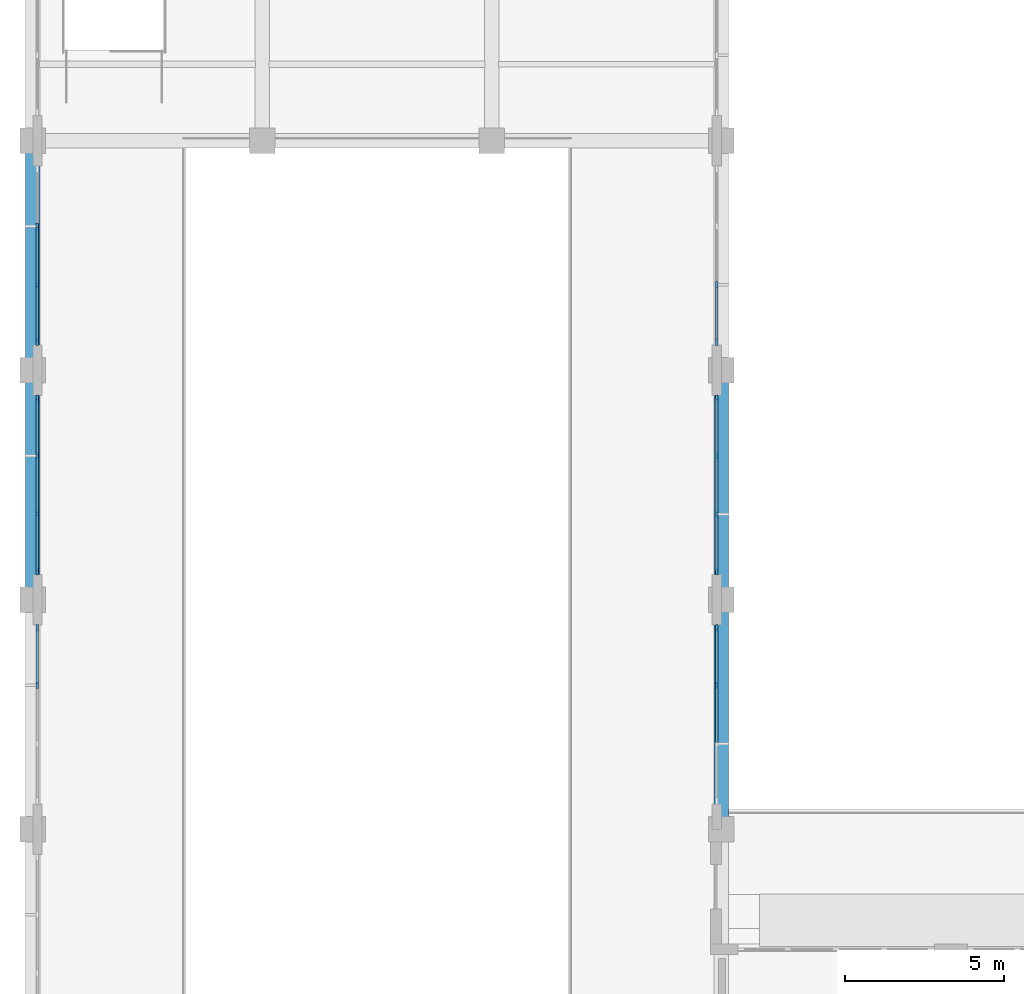
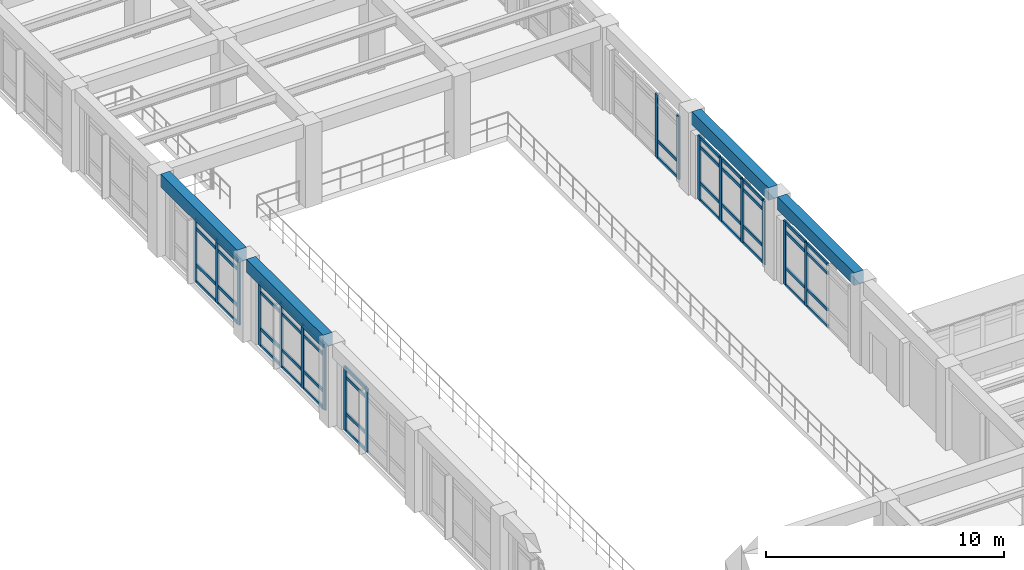
# One storey, part 10 of 67: 63 members, 4 beams, 6 elements without a shape of their own.
"""IFC4 building model written with IfcOpenShell, lengths in metres."""

from ifc_helpers import new_model, si_unit, direction, frame, origin, origin_2d, place, context, subcontext, project, spatial, rectangle, extrude, material, layer, layer_set, material_profile, profile_set, type_object, element, aggregate, save


model = new_model("IFC4")

# Units and contexts
model_context = context("Model", 3, precision=1e-05, world=origin(), true_north=direction((0.0, 1.0)))
body_context = subcontext(model_context, "Body", "Model", "MODEL_VIEW")
ifc_project = project(units=[si_unit("LENGTHUNIT", "METRE"), si_unit("AREAUNIT", "SQUARE_METRE"), si_unit("VOLUMEUNIT", "CUBIC_METRE"), si_unit("PLANEANGLEUNIT", "RADIAN"), si_unit("MASSUNIT", "GRAM", prefix="KILO")], contexts=[model_context])

# Site, building, storey
site_placement = place(None, origin())
site = spatial("IfcSite", under=ifc_project, at=site_placement, CompositionType="ELEMENT")
building_placement = place(site_placement, origin())
building = spatial("IfcBuilding", under=site, at=building_placement, Name="Solenvale Faculty of Natural Sciences", CompositionType="ELEMENT")
storey_placement = place(building_placement, frame((0.0, 0.0, 13.5)))
storey = spatial("IfcBuildingStorey", under=building, at=storey_placement, Name="L03", CompositionType="ELEMENT", Elevation=13.5)

# Beams
ifc_material_1 = material(Name="Concrete 40 MPa", Category="concrete")
ifc_material_profile_1 = material_profile(ifc_material_1, rectangle(XDim=0.449951171875, YDim=0.64990234375, at=origin_2d()), Name="RC-BM-450x650")
ifc_profile_set_1 = profile_set([ifc_material_profile_1], Name="Concrete 40 MPa")
beam_type = type_object("IfcBeamType", Name="BM-RC-450x650", PredefinedType="BEAM", material=ifc_profile_set_1)
for number, where, z_axis, x_axis, name in (
    (1, (36.0, 50.780029296875, 3.89501953125), (0.0, 1.0, 0.0), (-1.0, 0.0, 0.0), "L03 Y-Girder X36.0 (50.4..57.6)"),
    (2, (36.0, 57.97998046875, 3.89501953125), (0.0, 1.0, 0.0), (-1.0, 0.0, 0.0), "L03 Y-Girder X36.0 (57.6..64.8)"),
    (3, (57.60009765625, 43.580078125, 3.89501953125), (0.0, 1.0, 0.0), (-1.0, 0.0, 0.0), "L03 Y-Girder X57.6 (43.2..50.4)"),
    (4, (57.60009765625, 50.780029296875, 3.89501953125), (0.0, 1.0, 0.0), (-1.0, 0.0, 0.0), "L03 Y-Girder X57.6 (50.4..57.6)"),
):
    element("IfcBeam", number, at=place(storey_placement, frame(where, z_axis=z_axis, x_axis=x_axis)), inside=storey, type_object=beam_type, Name=name, PredefinedType="BEAM", context=body_context, shape_type="SweptSolid", body=[
        extrude(rectangle(XDim=0.449951171875, YDim=0.64990234375, at=origin_2d()), origin(), (0.0, 0.0, 1.0), 6.43994140625),
    ])

# Curtain wall, members
ifc_material_2 = material(Name="Anodised bronze aluminium", Category="aluminium")
ifc_layer = layer(ifc_material_2, 0.215087890625)
ifc_layer_set = layer_set([ifc_layer], Name="Anodised bronze aluminium")
curtain_wall_type = type_object("IfcCurtainWallType", Name="CW-ATR-UNIT", PredefinedType="USERDEFINED", material=ifc_layer_set)
curtain_wall_1_placement = place(storey_placement, origin())
curtain_wall_1 = element("IfcCurtainWall", 5, at=curtain_wall_1_placement, inside=storey, type_object=curtain_wall_type, Name="L03 Curtain Wall CW-L03-P1-E1-B2", ObjectType="UNITISED CURTAIN WALL", PredefinedType="USERDEFINED")
ifc_material_profile_2 = material_profile(ifc_material_2, rectangle(XDim=0.074951171875, YDim=0.2099609375, at=origin_2d()), Name="ALU-MUL-75x210")
ifc_profile_set_2 = profile_set([ifc_material_profile_2], Name="Anodised bronze aluminium")
member_type_1 = type_object("IfcMemberType", Name="CWM-ALU-75x210", PredefinedType="MULLION", material=ifc_profile_set_2)
member_1_placement = place(storey_placement, frame((57.45751953125, 47.716552734375, 0.0), z_axis=(0.0, 0.0, 1.0), x_axis=(-1.0, 0.0, 0.0)))
member_1 = element("IfcMember", 6, at=member_1_placement, type_object=member_type_1, Name="CW-01 mullion 3", PredefinedType="MULLION", context=body_context, shape_type="SweptSolid", body=[
    extrude(rectangle(XDim=0.074951171875, YDim=0.2099609375, at=origin_2d()), origin(), (0.0, 0.0, 1.0), 3.260009765625),
])
member_2_placement = place(storey_placement, frame((57.45751953125, 49.512451171875, 0.0), z_axis=(0.0, 0.0, 1.0), x_axis=(-1.0, 0.0, 0.0)))
member_2 = element("IfcMember", 7, at=member_2_placement, type_object=member_type_1, Name="CW-01 mullion 4", PredefinedType="MULLION", context=body_context, shape_type="SweptSolid", body=[
    extrude(rectangle(XDim=0.074951171875, YDim=0.2099609375, at=origin_2d()), origin(), (0.0, 0.0, 1.0), 3.260009765625),
])

curtain_wall_2_placement = place(storey_placement, origin())
curtain_wall_2 = element("IfcCurtainWall", 8, at=curtain_wall_2_placement, inside=storey, type_object=curtain_wall_type, Name="L03 Curtain Wall CW-L03-P1-E1-B3", ObjectType="UNITISED CURTAIN WALL", PredefinedType="USERDEFINED")
member_3_placement = place(storey_placement, frame((57.45751953125, 51.28759765625, 0.0), z_axis=(0.0, 0.0, 1.0), x_axis=(-1.0, 0.0, 0.0)))
member_3 = element("IfcMember", 9, at=member_3_placement, type_object=member_type_1, Name="CW-01 mullion 1", PredefinedType="MULLION", context=body_context, shape_type="SweptSolid", body=[
    extrude(rectangle(XDim=0.074951171875, YDim=0.2099609375, at=origin_2d()), origin(), (0.0, 0.0, 1.0), 3.260009765625),
])
member_4_placement = place(storey_placement, frame((57.45751953125, 53.083251953125, 0.0), z_axis=(0.0, 0.0, 1.0), x_axis=(-1.0, 0.0, 0.0)))
member_4 = element("IfcMember", 10, at=member_4_placement, type_object=member_type_1, Name="CW-01 mullion 2", PredefinedType="MULLION", context=body_context, shape_type="SweptSolid", body=[
    extrude(rectangle(XDim=0.074951171875, YDim=0.2099609375, at=origin_2d()), origin(), (0.0, 0.0, 1.0), 3.260009765625),
])
member_5_placement = place(storey_placement, frame((57.45751953125, 54.916748046875, 0.0), z_axis=(0.0, 0.0, 1.0), x_axis=(-1.0, 0.0, 0.0)))
member_5 = element("IfcMember", 11, at=member_5_placement, type_object=member_type_1, Name="CW-01 mullion 3", PredefinedType="MULLION", context=body_context, shape_type="SweptSolid", body=[
    extrude(rectangle(XDim=0.074951171875, YDim=0.2099609375, at=origin_2d()), origin(), (0.0, 0.0, 1.0), 3.260009765625),
])
member_6_placement = place(storey_placement, frame((57.45751953125, 56.71240234375, 0.0), z_axis=(0.0, 0.0, 1.0), x_axis=(-1.0, 0.0, 0.0)))
member_6 = element("IfcMember", 12, at=member_6_placement, type_object=member_type_1, Name="CW-01 mullion 4", PredefinedType="MULLION", context=body_context, shape_type="SweptSolid", body=[
    extrude(rectangle(XDim=0.074951171875, YDim=0.2099609375, at=origin_2d()), origin(), (0.0, 0.0, 1.0), 3.260009765625),
])

curtain_wall_3_placement = place(storey_placement, origin())
curtain_wall_3 = element("IfcCurtainWall", 13, at=curtain_wall_3_placement, inside=storey, type_object=curtain_wall_type, Name="L03 Curtain Wall CW-L03-P1-E1-B4", ObjectType="UNITISED CURTAIN WALL", PredefinedType="USERDEFINED")
member_7_placement = place(storey_placement, frame((57.45751953125, 58.487548828125, 0.0), z_axis=(0.0, 0.0, 1.0), x_axis=(-1.0, 0.0, 0.0)))
member_7 = element("IfcMember", 14, at=member_7_placement, type_object=member_type_1, Name="CW-01 mullion 1", PredefinedType="MULLION", context=body_context, shape_type="SweptSolid", body=[
    extrude(rectangle(XDim=0.074951171875, YDim=0.2099609375, at=origin_2d()), origin(), (0.0, 0.0, 1.0), 3.260009765625),
])
member_8_placement = place(storey_placement, frame((57.45751953125, 60.283447265625, 0.0), z_axis=(0.0, 0.0, 1.0), x_axis=(-1.0, 0.0, 0.0)))
member_8 = element("IfcMember", 15, at=member_8_placement, type_object=member_type_1, Name="CW-01 mullion 2", PredefinedType="MULLION", context=body_context, shape_type="SweptSolid", body=[
    extrude(rectangle(XDim=0.074951171875, YDim=0.2099609375, at=origin_2d()), origin(), (0.0, 0.0, 1.0), 3.260009765625),
])

curtain_wall_4_placement = place(storey_placement, origin())
curtain_wall_4 = element("IfcCurtainWall", 16, at=curtain_wall_4_placement, inside=storey, type_object=curtain_wall_type, Name="L03 Curtain Wall CW-L03-P1-E3-B5", ObjectType="UNITISED CURTAIN WALL", PredefinedType="USERDEFINED")
member_9_placement = place(storey_placement, frame((36.142578125, 62.11669921875, 0.0), z_axis=(0.0, 0.0, 1.0), x_axis=(1.0, 0.0, 0.0)))
member_9 = element("IfcMember", 17, at=member_9_placement, type_object=member_type_1, Name="CW-01 mullion 2", PredefinedType="MULLION", context=body_context, shape_type="SweptSolid", body=[
    extrude(rectangle(XDim=0.074951171875, YDim=0.2099609375, at=origin_2d()), origin(), (0.0, 0.0, 1.0), 3.260009765625),
])
member_10_placement = place(storey_placement, frame((36.142578125, 60.283447265625, 0.0), z_axis=(0.0, 0.0, 1.0), x_axis=(1.0, 0.0, 0.0)))
member_10 = element("IfcMember", 18, at=member_10_placement, type_object=member_type_1, Name="CW-01 mullion 3", PredefinedType="MULLION", context=body_context, shape_type="SweptSolid", body=[
    extrude(rectangle(XDim=0.074951171875, YDim=0.2099609375, at=origin_2d()), origin(), (0.0, 0.0, 1.0), 3.260009765625),
])
member_11_placement = place(storey_placement, frame((36.142578125, 58.487548828125, 0.0), z_axis=(0.0, 0.0, 1.0), x_axis=(1.0, 0.0, 0.0)))
member_11 = element("IfcMember", 19, at=member_11_placement, type_object=member_type_1, Name="CW-01 mullion 4", PredefinedType="MULLION", context=body_context, shape_type="SweptSolid", body=[
    extrude(rectangle(XDim=0.074951171875, YDim=0.2099609375, at=origin_2d()), origin(), (0.0, 0.0, 1.0), 3.260009765625),
])

curtain_wall_5_placement = place(storey_placement, origin())
curtain_wall_5 = element("IfcCurtainWall", 20, at=curtain_wall_5_placement, inside=storey, type_object=curtain_wall_type, Name="L03 Curtain Wall CW-L03-P1-E3-B6", ObjectType="UNITISED CURTAIN WALL", PredefinedType="USERDEFINED")
member_12_placement = place(storey_placement, frame((36.142578125, 56.71240234375, 0.0), z_axis=(0.0, 0.0, 1.0), x_axis=(1.0, 0.0, 0.0)))
member_12 = element("IfcMember", 21, at=member_12_placement, type_object=member_type_1, Name="CW-01 mullion 1", PredefinedType="MULLION", context=body_context, shape_type="SweptSolid", body=[
    extrude(rectangle(XDim=0.074951171875, YDim=0.2099609375, at=origin_2d()), origin(), (0.0, 0.0, 1.0), 3.260009765625),
])
member_13_placement = place(storey_placement, frame((36.142578125, 54.916748046875, 0.0), z_axis=(0.0, 0.0, 1.0), x_axis=(1.0, 0.0, 0.0)))
member_13 = element("IfcMember", 22, at=member_13_placement, type_object=member_type_1, Name="CW-01 mullion 2", PredefinedType="MULLION", context=body_context, shape_type="SweptSolid", body=[
    extrude(rectangle(XDim=0.074951171875, YDim=0.2099609375, at=origin_2d()), origin(), (0.0, 0.0, 1.0), 3.260009765625),
])
member_14_placement = place(storey_placement, frame((36.142578125, 53.083251953125, 0.0), z_axis=(0.0, 0.0, 1.0), x_axis=(1.0, 0.0, 0.0)))
member_14 = element("IfcMember", 23, at=member_14_placement, type_object=member_type_1, Name="CW-01 mullion 3", PredefinedType="MULLION", context=body_context, shape_type="SweptSolid", body=[
    extrude(rectangle(XDim=0.074951171875, YDim=0.2099609375, at=origin_2d()), origin(), (0.0, 0.0, 1.0), 3.260009765625),
])
member_15_placement = place(storey_placement, frame((36.142578125, 51.28759765625, 0.0), z_axis=(0.0, 0.0, 1.0), x_axis=(1.0, 0.0, 0.0)))
member_15 = element("IfcMember", 24, at=member_15_placement, type_object=member_type_1, Name="CW-01 mullion 4", PredefinedType="MULLION", context=body_context, shape_type="SweptSolid", body=[
    extrude(rectangle(XDim=0.074951171875, YDim=0.2099609375, at=origin_2d()), origin(), (0.0, 0.0, 1.0), 3.260009765625),
])

curtain_wall_6_placement = place(storey_placement, origin())
curtain_wall_6 = element("IfcCurtainWall", 25, at=curtain_wall_6_placement, inside=storey, type_object=curtain_wall_type, Name="L03 Curtain Wall CW-L03-P1-E3-B7", ObjectType="UNITISED CURTAIN WALL", PredefinedType="USERDEFINED")
member_16_placement = place(storey_placement, frame((36.142578125, 49.512451171875, 0.0), z_axis=(0.0, 0.0, 1.0), x_axis=(1.0, 0.0, 0.0)))
member_16 = element("IfcMember", 26, at=member_16_placement, type_object=member_type_1, Name="CW-01 mullion 1", PredefinedType="MULLION", context=body_context, shape_type="SweptSolid", body=[
    extrude(rectangle(XDim=0.074951171875, YDim=0.2099609375, at=origin_2d()), origin(), (0.0, 0.0, 1.0), 3.260009765625),
])
member_17_placement = place(storey_placement, frame((36.142578125, 47.716552734375, 0.0), z_axis=(0.0, 0.0, 1.0), x_axis=(1.0, 0.0, 0.0)))
member_17 = element("IfcMember", 27, at=member_17_placement, type_object=member_type_1, Name="CW-01 mullion 2", PredefinedType="MULLION", context=body_context, shape_type="SweptSolid", body=[
    extrude(rectangle(XDim=0.074951171875, YDim=0.2099609375, at=origin_2d()), origin(), (0.0, 0.0, 1.0), 3.260009765625),
])

# Member
ifc_material_profile_3 = material_profile(ifc_material_2, rectangle(XDim=0.074951171875, YDim=0.155029296875, at=origin_2d()), Name="ALU-TRN-75x155")
ifc_profile_set_3 = profile_set([ifc_material_profile_3], Name="Anodised bronze aluminium")
member_type_2 = type_object("IfcMemberType", Name="CWT-ALU-75x155", PredefinedType="USERDEFINED", material=ifc_profile_set_3)
member_18_placement = place(storey_placement, frame((57.45751953125, 45.9208984375, 0.03759765625), z_axis=(0.0, 1.0, 0.0), x_axis=(-1.0, 0.0, 0.0)))
member_18 = element("IfcMember", 28, at=member_18_placement, type_object=member_type_2, Name="CW-01 transom 2.1", ObjectType="TRANSOM", PredefinedType="USERDEFINED", context=body_context, shape_type="SweptSolid", body=[
    extrude(rectangle(XDim=0.074951171875, YDim=0.155029296875, at=origin_2d()), origin(), (0.0, 0.0, 1.0), 1.75830078125),
])

member_19_placement = place(storey_placement, frame((57.45751953125, 45.9208984375, 0.89990234375), z_axis=(0.0, 1.0, 0.0), x_axis=(-1.0, 0.0, 0.0)))
member_19 = element("IfcMember", 29, at=member_19_placement, type_object=member_type_2, Name="CW-01 transom 2.2", ObjectType="TRANSOM", PredefinedType="USERDEFINED", context=body_context, shape_type="SweptSolid", body=[
    extrude(rectangle(XDim=0.074951171875, YDim=0.155029296875, at=origin_2d()), origin(), (0.0, 0.0, 1.0), 1.75830078125),
])

member_20_placement = place(storey_placement, frame((57.45751953125, 45.9208984375, 2.760009765625), z_axis=(0.0, 1.0, 0.0), x_axis=(-1.0, 0.0, 0.0)))
member_20 = element("IfcMember", 30, at=member_20_placement, type_object=member_type_2, Name="CW-01 transom 2.3", ObjectType="TRANSOM", PredefinedType="USERDEFINED", context=body_context, shape_type="SweptSolid", body=[
    extrude(rectangle(XDim=0.074951171875, YDim=0.155029296875, at=origin_2d()), origin(), (0.0, 0.0, 1.0), 1.75830078125),
])

member_21_placement = place(storey_placement, frame((57.45751953125, 45.9208984375, 3.222412109375), z_axis=(0.0, 1.0, 0.0), x_axis=(-1.0, 0.0, 0.0)))
member_21 = element("IfcMember", 31, at=member_21_placement, type_object=member_type_2, Name="CW-01 transom 2.4", ObjectType="TRANSOM", PredefinedType="USERDEFINED", context=body_context, shape_type="SweptSolid", body=[
    extrude(rectangle(XDim=0.074951171875, YDim=0.155029296875, at=origin_2d()), origin(), (0.0, 0.0, 1.0), 1.75830078125),
])

member_22_placement = place(storey_placement, frame((57.45751953125, 47.754150390625, 0.03759765625), z_axis=(0.0, 1.0, 0.0), x_axis=(-1.0, 0.0, 0.0)))
member_22 = element("IfcMember", 32, at=member_22_placement, type_object=member_type_2, Name="CW-01 transom 3.1", ObjectType="TRANSOM", PredefinedType="USERDEFINED", context=body_context, shape_type="SweptSolid", body=[
    extrude(rectangle(XDim=0.074951171875, YDim=0.155029296875, at=origin_2d()), origin(), (0.0, 0.0, 1.0), 1.720947265625),
])

member_23_placement = place(storey_placement, frame((57.45751953125, 47.754150390625, 0.89990234375), z_axis=(0.0, 1.0, 0.0), x_axis=(-1.0, 0.0, 0.0)))
member_23 = element("IfcMember", 33, at=member_23_placement, type_object=member_type_2, Name="CW-01 transom 3.2", ObjectType="TRANSOM", PredefinedType="USERDEFINED", context=body_context, shape_type="SweptSolid", body=[
    extrude(rectangle(XDim=0.074951171875, YDim=0.155029296875, at=origin_2d()), origin(), (0.0, 0.0, 1.0), 1.720947265625),
])

member_24_placement = place(storey_placement, frame((57.45751953125, 47.754150390625, 2.760009765625), z_axis=(0.0, 1.0, 0.0), x_axis=(-1.0, 0.0, 0.0)))
member_24 = element("IfcMember", 34, at=member_24_placement, type_object=member_type_2, Name="CW-01 transom 3.3", ObjectType="TRANSOM", PredefinedType="USERDEFINED", context=body_context, shape_type="SweptSolid", body=[
    extrude(rectangle(XDim=0.074951171875, YDim=0.155029296875, at=origin_2d()), origin(), (0.0, 0.0, 1.0), 1.720947265625),
])

member_25_placement = place(storey_placement, frame((57.45751953125, 47.754150390625, 3.222412109375), z_axis=(0.0, 1.0, 0.0), x_axis=(-1.0, 0.0, 0.0)))
member_25 = element("IfcMember", 35, at=member_25_placement, type_object=member_type_2, Name="CW-01 transom 3.4", ObjectType="TRANSOM", PredefinedType="USERDEFINED", context=body_context, shape_type="SweptSolid", body=[
    extrude(rectangle(XDim=0.074951171875, YDim=0.155029296875, at=origin_2d()), origin(), (0.0, 0.0, 1.0), 1.720947265625),
])

aggregate(curtain_wall_1, [member_1, member_2, member_18, member_19, member_20, member_21, member_22, member_23, member_24, member_25])

member_26_placement = place(storey_placement, frame((57.45751953125, 51.324951171875, 0.03759765625), z_axis=(0.0, 1.0, 0.0), x_axis=(-1.0, 0.0, 0.0)))
member_26 = element("IfcMember", 36, at=member_26_placement, type_object=member_type_2, Name="CW-01 transom 1.1", ObjectType="TRANSOM", PredefinedType="USERDEFINED", context=body_context, shape_type="SweptSolid", body=[
    extrude(rectangle(XDim=0.074951171875, YDim=0.155029296875, at=origin_2d()), origin(), (0.0, 0.0, 1.0), 1.720947265625),
])

member_27_placement = place(storey_placement, frame((57.45751953125, 51.324951171875, 0.89990234375), z_axis=(0.0, 1.0, 0.0), x_axis=(-1.0, 0.0, 0.0)))
member_27 = element("IfcMember", 37, at=member_27_placement, type_object=member_type_2, Name="CW-01 transom 1.2", ObjectType="TRANSOM", PredefinedType="USERDEFINED", context=body_context, shape_type="SweptSolid", body=[
    extrude(rectangle(XDim=0.074951171875, YDim=0.155029296875, at=origin_2d()), origin(), (0.0, 0.0, 1.0), 1.720947265625),
])

member_28_placement = place(storey_placement, frame((57.45751953125, 51.324951171875, 2.760009765625), z_axis=(0.0, 1.0, 0.0), x_axis=(-1.0, 0.0, 0.0)))
member_28 = element("IfcMember", 38, at=member_28_placement, type_object=member_type_2, Name="CW-01 transom 1.3", ObjectType="TRANSOM", PredefinedType="USERDEFINED", context=body_context, shape_type="SweptSolid", body=[
    extrude(rectangle(XDim=0.074951171875, YDim=0.155029296875, at=origin_2d()), origin(), (0.0, 0.0, 1.0), 1.720947265625),
])

member_29_placement = place(storey_placement, frame((57.45751953125, 51.324951171875, 3.222412109375), z_axis=(0.0, 1.0, 0.0), x_axis=(-1.0, 0.0, 0.0)))
member_29 = element("IfcMember", 39, at=member_29_placement, type_object=member_type_2, Name="CW-01 transom 1.4", ObjectType="TRANSOM", PredefinedType="USERDEFINED", context=body_context, shape_type="SweptSolid", body=[
    extrude(rectangle(XDim=0.074951171875, YDim=0.155029296875, at=origin_2d()), origin(), (0.0, 0.0, 1.0), 1.720947265625),
])

member_30_placement = place(storey_placement, frame((57.45751953125, 53.120849609375, 0.03759765625), z_axis=(0.0, 1.0, 0.0), x_axis=(-1.0, 0.0, 0.0)))
member_30 = element("IfcMember", 40, at=member_30_placement, type_object=member_type_2, Name="CW-01 transom 2.1", ObjectType="TRANSOM", PredefinedType="USERDEFINED", context=body_context, shape_type="SweptSolid", body=[
    extrude(rectangle(XDim=0.074951171875, YDim=0.155029296875, at=origin_2d()), origin(), (0.0, 0.0, 1.0), 1.75830078125),
])

member_31_placement = place(storey_placement, frame((57.45751953125, 53.120849609375, 0.89990234375), z_axis=(0.0, 1.0, 0.0), x_axis=(-1.0, 0.0, 0.0)))
member_31 = element("IfcMember", 41, at=member_31_placement, type_object=member_type_2, Name="CW-01 transom 2.2", ObjectType="TRANSOM", PredefinedType="USERDEFINED", context=body_context, shape_type="SweptSolid", body=[
    extrude(rectangle(XDim=0.074951171875, YDim=0.155029296875, at=origin_2d()), origin(), (0.0, 0.0, 1.0), 1.75830078125),
])

member_32_placement = place(storey_placement, frame((57.45751953125, 53.120849609375, 2.760009765625), z_axis=(0.0, 1.0, 0.0), x_axis=(-1.0, 0.0, 0.0)))
member_32 = element("IfcMember", 42, at=member_32_placement, type_object=member_type_2, Name="CW-01 transom 2.3", ObjectType="TRANSOM", PredefinedType="USERDEFINED", context=body_context, shape_type="SweptSolid", body=[
    extrude(rectangle(XDim=0.074951171875, YDim=0.155029296875, at=origin_2d()), origin(), (0.0, 0.0, 1.0), 1.75830078125),
])

member_33_placement = place(storey_placement, frame((57.45751953125, 53.120849609375, 3.222412109375), z_axis=(0.0, 1.0, 0.0), x_axis=(-1.0, 0.0, 0.0)))
member_33 = element("IfcMember", 43, at=member_33_placement, type_object=member_type_2, Name="CW-01 transom 2.4", ObjectType="TRANSOM", PredefinedType="USERDEFINED", context=body_context, shape_type="SweptSolid", body=[
    extrude(rectangle(XDim=0.074951171875, YDim=0.155029296875, at=origin_2d()), origin(), (0.0, 0.0, 1.0), 1.75830078125),
])

member_34_placement = place(storey_placement, frame((57.45751953125, 54.9541015625, 0.03759765625), z_axis=(0.0, 1.0, 0.0), x_axis=(-1.0, 0.0, 0.0)))
member_34 = element("IfcMember", 44, at=member_34_placement, type_object=member_type_2, Name="CW-01 transom 3.1", ObjectType="TRANSOM", PredefinedType="USERDEFINED", context=body_context, shape_type="SweptSolid", body=[
    extrude(rectangle(XDim=0.074951171875, YDim=0.155029296875, at=origin_2d()), origin(), (0.0, 0.0, 1.0), 1.720947265625),
])

member_35_placement = place(storey_placement, frame((57.45751953125, 54.9541015625, 0.89990234375), z_axis=(0.0, 1.0, 0.0), x_axis=(-1.0, 0.0, 0.0)))
member_35 = element("IfcMember", 45, at=member_35_placement, type_object=member_type_2, Name="CW-01 transom 3.2", ObjectType="TRANSOM", PredefinedType="USERDEFINED", context=body_context, shape_type="SweptSolid", body=[
    extrude(rectangle(XDim=0.074951171875, YDim=0.155029296875, at=origin_2d()), origin(), (0.0, 0.0, 1.0), 1.720947265625),
])

member_36_placement = place(storey_placement, frame((57.45751953125, 54.9541015625, 2.760009765625), z_axis=(0.0, 1.0, 0.0), x_axis=(-1.0, 0.0, 0.0)))
member_36 = element("IfcMember", 46, at=member_36_placement, type_object=member_type_2, Name="CW-01 transom 3.3", ObjectType="TRANSOM", PredefinedType="USERDEFINED", context=body_context, shape_type="SweptSolid", body=[
    extrude(rectangle(XDim=0.074951171875, YDim=0.155029296875, at=origin_2d()), origin(), (0.0, 0.0, 1.0), 1.720947265625),
])

member_37_placement = place(storey_placement, frame((57.45751953125, 54.9541015625, 3.222412109375), z_axis=(0.0, 1.0, 0.0), x_axis=(-1.0, 0.0, 0.0)))
member_37 = element("IfcMember", 47, at=member_37_placement, type_object=member_type_2, Name="CW-01 transom 3.4", ObjectType="TRANSOM", PredefinedType="USERDEFINED", context=body_context, shape_type="SweptSolid", body=[
    extrude(rectangle(XDim=0.074951171875, YDim=0.155029296875, at=origin_2d()), origin(), (0.0, 0.0, 1.0), 1.720947265625),
])

aggregate(curtain_wall_2, [member_3, member_4, member_5, member_6, member_26, member_27, member_28, member_29, member_30, member_31, member_32, member_33, member_34, member_35, member_36, member_37])

member_38_placement = place(storey_placement, frame((57.45751953125, 58.52490234375, 0.03759765625), z_axis=(0.0, 1.0, 0.0), x_axis=(-1.0, 0.0, 0.0)))
member_38 = element("IfcMember", 48, at=member_38_placement, type_object=member_type_2, Name="CW-01 transom 1.1", ObjectType="TRANSOM", PredefinedType="USERDEFINED", context=body_context, shape_type="SweptSolid", body=[
    extrude(rectangle(XDim=0.074951171875, YDim=0.155029296875, at=origin_2d()), origin(), (0.0, 0.0, 1.0), 1.720947265625),
])

member_39_placement = place(storey_placement, frame((57.45751953125, 58.52490234375, 0.89990234375), z_axis=(0.0, 1.0, 0.0), x_axis=(-1.0, 0.0, 0.0)))
member_39 = element("IfcMember", 49, at=member_39_placement, type_object=member_type_2, Name="CW-01 transom 1.2", ObjectType="TRANSOM", PredefinedType="USERDEFINED", context=body_context, shape_type="SweptSolid", body=[
    extrude(rectangle(XDim=0.074951171875, YDim=0.155029296875, at=origin_2d()), origin(), (0.0, 0.0, 1.0), 1.720947265625),
])

aggregate(curtain_wall_3, [member_7, member_8, member_38, member_39])

member_40_placement = place(storey_placement, frame((36.142578125, 62.0791015625, 0.03759765625), z_axis=(0.0, -1.0, 0.0), x_axis=(1.0, 0.0, 0.0)))
member_40 = element("IfcMember", 50, at=member_40_placement, type_object=member_type_2, Name="CW-01 transom 2.1", ObjectType="TRANSOM", PredefinedType="USERDEFINED", context=body_context, shape_type="SweptSolid", body=[
    extrude(rectangle(XDim=0.074951171875, YDim=0.155029296875, at=origin_2d()), origin(), (0.0, 0.0, 1.0), 1.75830078125),
])

member_41_placement = place(storey_placement, frame((36.142578125, 62.0791015625, 0.89990234375), z_axis=(0.0, -1.0, 0.0), x_axis=(1.0, 0.0, 0.0)))
member_41 = element("IfcMember", 51, at=member_41_placement, type_object=member_type_2, Name="CW-01 transom 2.2", ObjectType="TRANSOM", PredefinedType="USERDEFINED", context=body_context, shape_type="SweptSolid", body=[
    extrude(rectangle(XDim=0.074951171875, YDim=0.155029296875, at=origin_2d()), origin(), (0.0, 0.0, 1.0), 1.75830078125),
])

member_42_placement = place(storey_placement, frame((36.142578125, 62.0791015625, 2.760009765625), z_axis=(0.0, -1.0, 0.0), x_axis=(1.0, 0.0, 0.0)))
member_42 = element("IfcMember", 52, at=member_42_placement, type_object=member_type_2, Name="CW-01 transom 2.3", ObjectType="TRANSOM", PredefinedType="USERDEFINED", context=body_context, shape_type="SweptSolid", body=[
    extrude(rectangle(XDim=0.074951171875, YDim=0.155029296875, at=origin_2d()), origin(), (0.0, 0.0, 1.0), 1.75830078125),
])

member_43_placement = place(storey_placement, frame((36.142578125, 62.0791015625, 3.222412109375), z_axis=(0.0, -1.0, 0.0), x_axis=(1.0, 0.0, 0.0)))
member_43 = element("IfcMember", 53, at=member_43_placement, type_object=member_type_2, Name="CW-01 transom 2.4", ObjectType="TRANSOM", PredefinedType="USERDEFINED", context=body_context, shape_type="SweptSolid", body=[
    extrude(rectangle(XDim=0.074951171875, YDim=0.155029296875, at=origin_2d()), origin(), (0.0, 0.0, 1.0), 1.75830078125),
])

member_44_placement = place(storey_placement, frame((36.142578125, 60.245849609375, 0.03759765625), z_axis=(0.0, -1.0, 0.0), x_axis=(1.0, 0.0, 0.0)))
member_44 = element("IfcMember", 54, at=member_44_placement, type_object=member_type_2, Name="CW-01 transom 3.1", ObjectType="TRANSOM", PredefinedType="USERDEFINED", context=body_context, shape_type="SweptSolid", body=[
    extrude(rectangle(XDim=0.074951171875, YDim=0.155029296875, at=origin_2d()), origin(), (0.0, 0.0, 1.0), 1.720947265625),
])

member_45_placement = place(storey_placement, frame((36.142578125, 60.245849609375, 0.89990234375), z_axis=(0.0, -1.0, 0.0), x_axis=(1.0, 0.0, 0.0)))
member_45 = element("IfcMember", 55, at=member_45_placement, type_object=member_type_2, Name="CW-01 transom 3.2", ObjectType="TRANSOM", PredefinedType="USERDEFINED", context=body_context, shape_type="SweptSolid", body=[
    extrude(rectangle(XDim=0.074951171875, YDim=0.155029296875, at=origin_2d()), origin(), (0.0, 0.0, 1.0), 1.720947265625),
])

member_46_placement = place(storey_placement, frame((36.142578125, 60.245849609375, 2.760009765625), z_axis=(0.0, -1.0, 0.0), x_axis=(1.0, 0.0, 0.0)))
member_46 = element("IfcMember", 56, at=member_46_placement, type_object=member_type_2, Name="CW-01 transom 3.3", ObjectType="TRANSOM", PredefinedType="USERDEFINED", context=body_context, shape_type="SweptSolid", body=[
    extrude(rectangle(XDim=0.074951171875, YDim=0.155029296875, at=origin_2d()), origin(), (0.0, 0.0, 1.0), 1.720947265625),
])

member_47_placement = place(storey_placement, frame((36.142578125, 60.245849609375, 3.222412109375), z_axis=(0.0, -1.0, 0.0), x_axis=(1.0, 0.0, 0.0)))
member_47 = element("IfcMember", 57, at=member_47_placement, type_object=member_type_2, Name="CW-01 transom 3.4", ObjectType="TRANSOM", PredefinedType="USERDEFINED", context=body_context, shape_type="SweptSolid", body=[
    extrude(rectangle(XDim=0.074951171875, YDim=0.155029296875, at=origin_2d()), origin(), (0.0, 0.0, 1.0), 1.720947265625),
])

aggregate(curtain_wall_4, [member_9, member_10, member_11, member_40, member_41, member_42, member_43, member_44, member_45, member_46, member_47])

member_48_placement = place(storey_placement, frame((36.142578125, 56.675048828125, 0.03759765625), z_axis=(0.0, -1.0, 0.0), x_axis=(1.0, 0.0, 0.0)))
member_48 = element("IfcMember", 58, at=member_48_placement, type_object=member_type_2, Name="CW-01 transom 1.1", ObjectType="TRANSOM", PredefinedType="USERDEFINED", context=body_context, shape_type="SweptSolid", body=[
    extrude(rectangle(XDim=0.074951171875, YDim=0.155029296875, at=origin_2d()), origin(), (0.0, 0.0, 1.0), 1.720947265625),
])

member_49_placement = place(storey_placement, frame((36.142578125, 56.675048828125, 0.89990234375), z_axis=(0.0, -1.0, 0.0), x_axis=(1.0, 0.0, 0.0)))
member_49 = element("IfcMember", 59, at=member_49_placement, type_object=member_type_2, Name="CW-01 transom 1.2", ObjectType="TRANSOM", PredefinedType="USERDEFINED", context=body_context, shape_type="SweptSolid", body=[
    extrude(rectangle(XDim=0.074951171875, YDim=0.155029296875, at=origin_2d()), origin(), (0.0, 0.0, 1.0), 1.720947265625),
])

member_50_placement = place(storey_placement, frame((36.142578125, 56.675048828125, 2.760009765625), z_axis=(0.0, -1.0, 0.0), x_axis=(1.0, 0.0, 0.0)))
member_50 = element("IfcMember", 60, at=member_50_placement, type_object=member_type_2, Name="CW-01 transom 1.3", ObjectType="TRANSOM", PredefinedType="USERDEFINED", context=body_context, shape_type="SweptSolid", body=[
    extrude(rectangle(XDim=0.074951171875, YDim=0.155029296875, at=origin_2d()), origin(), (0.0, 0.0, 1.0), 1.720947265625),
])

member_51_placement = place(storey_placement, frame((36.142578125, 56.675048828125, 3.222412109375), z_axis=(0.0, -1.0, 0.0), x_axis=(1.0, 0.0, 0.0)))
member_51 = element("IfcMember", 61, at=member_51_placement, type_object=member_type_2, Name="CW-01 transom 1.4", ObjectType="TRANSOM", PredefinedType="USERDEFINED", context=body_context, shape_type="SweptSolid", body=[
    extrude(rectangle(XDim=0.074951171875, YDim=0.155029296875, at=origin_2d()), origin(), (0.0, 0.0, 1.0), 1.720947265625),
])

member_52_placement = place(storey_placement, frame((36.142578125, 54.879150390625, 0.03759765625), z_axis=(0.0, -1.0, 0.0), x_axis=(1.0, 0.0, 0.0)))
member_52 = element("IfcMember", 62, at=member_52_placement, type_object=member_type_2, Name="CW-01 transom 2.1", ObjectType="TRANSOM", PredefinedType="USERDEFINED", context=body_context, shape_type="SweptSolid", body=[
    extrude(rectangle(XDim=0.074951171875, YDim=0.155029296875, at=origin_2d()), origin(), (0.0, 0.0, 1.0), 1.75830078125),
])

member_53_placement = place(storey_placement, frame((36.142578125, 54.879150390625, 0.89990234375), z_axis=(0.0, -1.0, 0.0), x_axis=(1.0, 0.0, 0.0)))
member_53 = element("IfcMember", 63, at=member_53_placement, type_object=member_type_2, Name="CW-01 transom 2.2", ObjectType="TRANSOM", PredefinedType="USERDEFINED", context=body_context, shape_type="SweptSolid", body=[
    extrude(rectangle(XDim=0.074951171875, YDim=0.155029296875, at=origin_2d()), origin(), (0.0, 0.0, 1.0), 1.75830078125),
])

member_54_placement = place(storey_placement, frame((36.142578125, 54.879150390625, 2.760009765625), z_axis=(0.0, -1.0, 0.0), x_axis=(1.0, 0.0, 0.0)))
member_54 = element("IfcMember", 64, at=member_54_placement, type_object=member_type_2, Name="CW-01 transom 2.3", ObjectType="TRANSOM", PredefinedType="USERDEFINED", context=body_context, shape_type="SweptSolid", body=[
    extrude(rectangle(XDim=0.074951171875, YDim=0.155029296875, at=origin_2d()), origin(), (0.0, 0.0, 1.0), 1.75830078125),
])

member_55_placement = place(storey_placement, frame((36.142578125, 54.879150390625, 3.222412109375), z_axis=(0.0, -1.0, 0.0), x_axis=(1.0, 0.0, 0.0)))
member_55 = element("IfcMember", 65, at=member_55_placement, type_object=member_type_2, Name="CW-01 transom 2.4", ObjectType="TRANSOM", PredefinedType="USERDEFINED", context=body_context, shape_type="SweptSolid", body=[
    extrude(rectangle(XDim=0.074951171875, YDim=0.155029296875, at=origin_2d()), origin(), (0.0, 0.0, 1.0), 1.75830078125),
])

member_56_placement = place(storey_placement, frame((36.142578125, 53.0458984375, 0.03759765625), z_axis=(0.0, -1.0, 0.0), x_axis=(1.0, 0.0, 0.0)))
member_56 = element("IfcMember", 66, at=member_56_placement, type_object=member_type_2, Name="CW-01 transom 3.1", ObjectType="TRANSOM", PredefinedType="USERDEFINED", context=body_context, shape_type="SweptSolid", body=[
    extrude(rectangle(XDim=0.074951171875, YDim=0.155029296875, at=origin_2d()), origin(), (0.0, 0.0, 1.0), 1.720947265625),
])

member_57_placement = place(storey_placement, frame((36.142578125, 53.0458984375, 0.89990234375), z_axis=(0.0, -1.0, 0.0), x_axis=(1.0, 0.0, 0.0)))
member_57 = element("IfcMember", 67, at=member_57_placement, type_object=member_type_2, Name="CW-01 transom 3.2", ObjectType="TRANSOM", PredefinedType="USERDEFINED", context=body_context, shape_type="SweptSolid", body=[
    extrude(rectangle(XDim=0.074951171875, YDim=0.155029296875, at=origin_2d()), origin(), (0.0, 0.0, 1.0), 1.720947265625),
])

member_58_placement = place(storey_placement, frame((36.142578125, 53.0458984375, 2.760009765625), z_axis=(0.0, -1.0, 0.0), x_axis=(1.0, 0.0, 0.0)))
member_58 = element("IfcMember", 68, at=member_58_placement, type_object=member_type_2, Name="CW-01 transom 3.3", ObjectType="TRANSOM", PredefinedType="USERDEFINED", context=body_context, shape_type="SweptSolid", body=[
    extrude(rectangle(XDim=0.074951171875, YDim=0.155029296875, at=origin_2d()), origin(), (0.0, 0.0, 1.0), 1.720947265625),
])

member_59_placement = place(storey_placement, frame((36.142578125, 53.0458984375, 3.222412109375), z_axis=(0.0, -1.0, 0.0), x_axis=(1.0, 0.0, 0.0)))
member_59 = element("IfcMember", 69, at=member_59_placement, type_object=member_type_2, Name="CW-01 transom 3.4", ObjectType="TRANSOM", PredefinedType="USERDEFINED", context=body_context, shape_type="SweptSolid", body=[
    extrude(rectangle(XDim=0.074951171875, YDim=0.155029296875, at=origin_2d()), origin(), (0.0, 0.0, 1.0), 1.720947265625),
])

aggregate(curtain_wall_5, [member_12, member_13, member_14, member_15, member_48, member_49, member_50, member_51, member_52, member_53, member_54, member_55, member_56, member_57, member_58, member_59])

member_60_placement = place(storey_placement, frame((36.142578125, 49.47509765625, 0.03759765625), z_axis=(0.0, -1.0, 0.0), x_axis=(1.0, 0.0, 0.0)))
member_60 = element("IfcMember", 70, at=member_60_placement, type_object=member_type_2, Name="CW-01 transom 1.1", ObjectType="TRANSOM", PredefinedType="USERDEFINED", context=body_context, shape_type="SweptSolid", body=[
    extrude(rectangle(XDim=0.074951171875, YDim=0.155029296875, at=origin_2d()), origin(), (0.0, 0.0, 1.0), 1.720947265625),
])

member_61_placement = place(storey_placement, frame((36.142578125, 49.47509765625, 0.89990234375), z_axis=(0.0, -1.0, 0.0), x_axis=(1.0, 0.0, 0.0)))
member_61 = element("IfcMember", 71, at=member_61_placement, type_object=member_type_2, Name="CW-01 transom 1.2", ObjectType="TRANSOM", PredefinedType="USERDEFINED", context=body_context, shape_type="SweptSolid", body=[
    extrude(rectangle(XDim=0.074951171875, YDim=0.155029296875, at=origin_2d()), origin(), (0.0, 0.0, 1.0), 1.720947265625),
])

member_62_placement = place(storey_placement, frame((36.142578125, 49.47509765625, 2.760009765625), z_axis=(0.0, -1.0, 0.0), x_axis=(1.0, 0.0, 0.0)))
member_62 = element("IfcMember", 72, at=member_62_placement, type_object=member_type_2, Name="CW-01 transom 1.3", ObjectType="TRANSOM", PredefinedType="USERDEFINED", context=body_context, shape_type="SweptSolid", body=[
    extrude(rectangle(XDim=0.074951171875, YDim=0.155029296875, at=origin_2d()), origin(), (0.0, 0.0, 1.0), 1.720947265625),
])

member_63_placement = place(storey_placement, frame((36.142578125, 49.47509765625, 3.222412109375), z_axis=(0.0, -1.0, 0.0), x_axis=(1.0, 0.0, 0.0)))
member_63 = element("IfcMember", 73, at=member_63_placement, type_object=member_type_2, Name="CW-01 transom 1.4", ObjectType="TRANSOM", PredefinedType="USERDEFINED", context=body_context, shape_type="SweptSolid", body=[
    extrude(rectangle(XDim=0.074951171875, YDim=0.155029296875, at=origin_2d()), origin(), (0.0, 0.0, 1.0), 1.720947265625),
])

aggregate(curtain_wall_6, [member_16, member_17, member_60, member_61, member_62, member_63])

save(model, "model.ifc")
